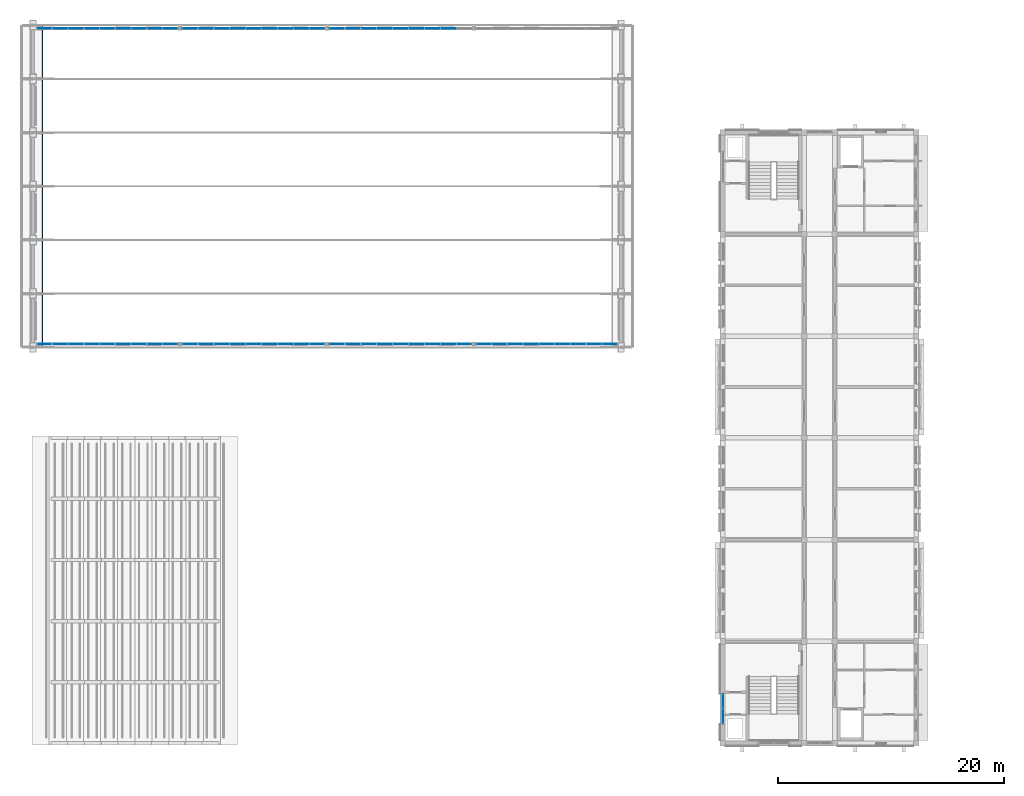
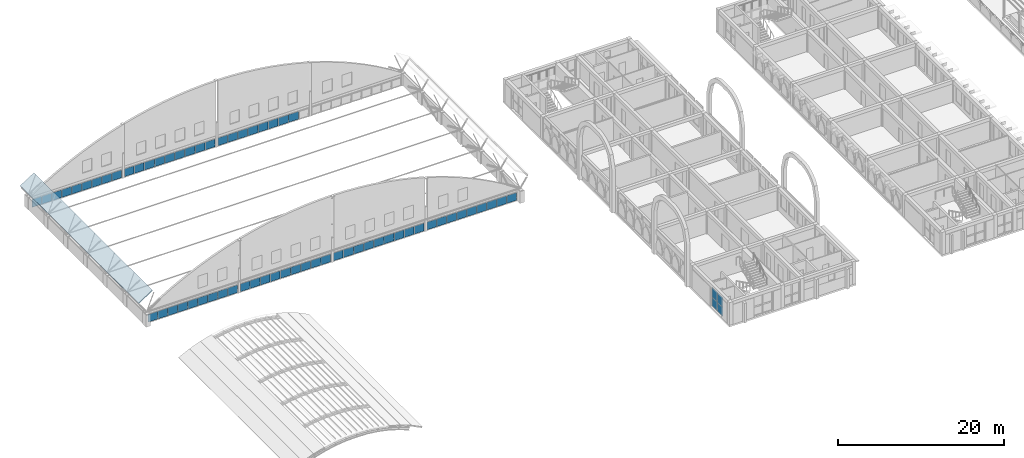
# One storey, part 30 of 65: 66 plates, 1 slab, 8 elements without a shape of their own.
"""IFC4 building model written with IfcOpenShell, lengths in metres."""

from ifc_helpers import new_model, si_unit, direction, frame, origin, origin_2d, place, context, subcontext, project, spatial, polyline, rectangle, outline, extrude, material, layer, layer_set, type_object, element, aggregate, save


model = new_model("IFC4")

# Units and contexts
model_context = context("Model", 3, precision=1e-05, world=origin(), true_north=direction((0.0, 1.0)))
body_context = subcontext(model_context, "Body", "Model", "MODEL_VIEW")
ifc_project = project(units=[si_unit("LENGTHUNIT", "METRE"), si_unit("AREAUNIT", "SQUARE_METRE"), si_unit("VOLUMEUNIT", "CUBIC_METRE"), si_unit("PLANEANGLEUNIT", "RADIAN"), si_unit("MASSUNIT", "GRAM", prefix="KILO")], contexts=[model_context])

# Site, building, storey
site_placement = place(None, origin())
site = spatial("IfcSite", under=ifc_project, at=site_placement, CompositionType="ELEMENT")
building_placement = place(site_placement, origin())
building = spatial("IfcBuilding", under=site, at=building_placement, Name="Elbe Cascade School", CompositionType="ELEMENT")
storey_placement = place(building_placement, frame((0.0, 0.0, 11.699951171875)))
storey = spatial("IfcBuildingStorey", under=building, at=storey_placement, Name="L03", CompositionType="ELEMENT", Elevation=11.699951171875)

# Curtain wall, plates
ifc_material_1 = material(Name="Aluminium frame with double glazing, bronze anodised", Category="aluminium")
ifc_layer_1 = layer(ifc_material_1, 0.159912109375)
ifc_layer_set_1 = layer_set([ifc_layer_1], Name="Aluminium frame with double glazing, bronze anodised")
curtain_wall_type_1 = type_object("IfcCurtainWallType", Name="Bars envelope Curtain wall, aluminium, bronze anodised, storey-high slot", PredefinedType="NOTDEFINED", material=ifc_layer_set_1)
curtain_wall_1_placement = place(storey_placement, origin())
curtain_wall_1 = element("IfcCurtainWall", 1, at=curtain_wall_1_placement, inside=storey, type_object=curtain_wall_type_1, Name="Curtain wall CW4 A.L03.w1", PredefinedType="NOTDEFINED")
ifc_material_2 = material(Name="Glass - double glazed low-E", Category="glass")
ifc_layer_2 = layer(ifc_material_2, 0.028076171875)
ifc_layer_set_2 = layer_set([ifc_layer_2], Name="Glass - double glazed low-E")
plate_type_1 = type_object("IfcPlateType", Name="Bars envelope Curtain wall glazing panel 28 mm, double glazed, storey-high slot", PredefinedType="CURTAIN_PANEL", material=ifc_layer_set_2)
plate_1_placement = place(storey_placement, frame((69.0, 8.3798828125, 0.06005859375), z_axis=(0.0, 0.0, 1.0), x_axis=(0.0, 1.0, 0.0)))
plate_1 = element("IfcPlate", 2, at=plate_1_placement, type_object=plate_type_1, Name="CW4 panel 1.1", PredefinedType="CURTAIN_PANEL", context=body_context, shape_type="SweptSolid", body=[
    extrude(rectangle(XDim=1.260009765625, YDim=0.028076171875, at=origin_2d()), origin(), (0.0, 0.0, 1.0), 1.260009765625),
])
plate_2_placement = place(storey_placement, frame((69.0, 8.3798828125, 1.3798828125), z_axis=(0.0, 0.0, 1.0), x_axis=(0.0, 1.0, 0.0)))
plate_2 = element("IfcPlate", 3, at=plate_2_placement, type_object=plate_type_1, Name="CW4 panel 1.2", PredefinedType="CURTAIN_PANEL", context=body_context, shape_type="SweptSolid", body=[
    extrude(rectangle(XDim=1.260009765625, YDim=0.028076171875, at=origin_2d()), origin(), (0.0, 0.0, 1.0), 1.409912109375),
])
plate_3_placement = place(storey_placement, frame((69.0, 9.699951171875, 0.06005859375), z_axis=(0.0, 0.0, 1.0), x_axis=(0.0, 1.0, 0.0)))
plate_3 = element("IfcPlate", 4, at=plate_3_placement, type_object=plate_type_1, Name="CW4 panel 2.1", PredefinedType="CURTAIN_PANEL", context=body_context, shape_type="SweptSolid", body=[
    extrude(rectangle(XDim=1.260009765625, YDim=0.028076171875, at=origin_2d()), origin(), (0.0, 0.0, 1.0), 1.260009765625),
])
plate_4_placement = place(storey_placement, frame((69.0, 9.699951171875, 1.3798828125), z_axis=(0.0, 0.0, 1.0), x_axis=(0.0, 1.0, 0.0)))
plate_4 = element("IfcPlate", 5, at=plate_4_placement, type_object=plate_type_1, Name="CW4 panel 2.2", PredefinedType="CURTAIN_PANEL", context=body_context, shape_type="SweptSolid", body=[
    extrude(rectangle(XDim=1.260009765625, YDim=0.028076171875, at=origin_2d()), origin(), (0.0, 0.0, 1.0), 1.409912109375),
])
aggregate(curtain_wall_1, [plate_1, plate_2, plate_3, plate_4])

ifc_material_3 = material(Name="Glass - double glazed low-E", Category="glass")
curtain_wall_type_2 = type_object("IfcCurtainWallType", Name="Hall gable curtain wall", PredefinedType="NOTDEFINED", material=ifc_material_3)
curtain_wall_2_placement = place(storey_placement, origin())
curtain_wall_2 = element("IfcCurtainWall", 6, at=curtain_wall_2_placement, inside=storey, type_object=curtain_wall_type_2, Name="Gable curtain wall S1", PredefinedType="NOTDEFINED")
ifc_material_4 = material(Name="Glass - double glazed low-E", Category="glass")
ifc_layer_3 = layer(ifc_material_4, 0.028076171875)
ifc_layer_set_3 = layer_set([ifc_layer_3], Name="Glass - double glazed low-E")
plate_type_2 = type_object("IfcPlateType", Name="Hall gable glass panel", PredefinedType="CURTAIN_PANEL", material=ifc_layer_set_3)
plate_5_placement = place(storey_placement, frame((9.01220703125, 41.300048828125, 0.06005859375), z_axis=(0.0, 0.0, 1.0), x_axis=(1.0, 0.0, 0.0)))
plate_5 = element("IfcPlate", 7, at=plate_5_placement, type_object=plate_type_2, Name="CW6 panel 1.1", PredefinedType="CURTAIN_PANEL", context=body_context, shape_type="SweptSolid", body=[
    extrude(rectangle(XDim=1.304443359375, YDim=0.028076171875, at=origin_2d()), origin(), (0.0, 0.0, 1.0), 1.139892578125),
])
plate_6_placement = place(storey_placement, frame((10.3916015625, 41.300048828125, 0.06005859375), z_axis=(0.0, 0.0, 1.0), x_axis=(1.0, 0.0, 0.0)))
plate_6 = element("IfcPlate", 8, at=plate_6_placement, type_object=plate_type_2, Name="CW6 panel 2.1", PredefinedType="CURTAIN_PANEL", context=body_context, shape_type="SweptSolid", body=[
    extrude(rectangle(XDim=1.33447265625, YDim=0.028076171875, at=origin_2d()), origin(), (0.0, 0.0, 1.0), 1.139892578125),
])
plate_7_placement = place(storey_placement, frame((11.7861328125, 41.300048828125, 0.06005859375), z_axis=(0.0, 0.0, 1.0), x_axis=(1.0, 0.0, 0.0)))
plate_7 = element("IfcPlate", 9, at=plate_7_placement, type_object=plate_type_2, Name="CW6 panel 3.1", PredefinedType="CURTAIN_PANEL", context=body_context, shape_type="SweptSolid", body=[
    extrude(rectangle(XDim=1.33447265625, YDim=0.028076171875, at=origin_2d()), origin(), (0.0, 0.0, 1.0), 1.139892578125),
])
plate_8_placement = place(storey_placement, frame((13.1806640625, 41.300048828125, 0.06005859375), z_axis=(0.0, 0.0, 1.0), x_axis=(1.0, 0.0, 0.0)))
plate_8 = element("IfcPlate", 10, at=plate_8_placement, type_object=plate_type_2, Name="CW6 panel 4.1", PredefinedType="CURTAIN_PANEL", context=body_context, shape_type="SweptSolid", body=[
    extrude(rectangle(XDim=1.33447265625, YDim=0.028076171875, at=origin_2d()), origin(), (0.0, 0.0, 1.0), 1.139892578125),
])
plate_9_placement = place(storey_placement, frame((14.574951171875, 41.300048828125, 0.06005859375), z_axis=(0.0, 0.0, 1.0), x_axis=(1.0, 0.0, 0.0)))
plate_9 = element("IfcPlate", 11, at=plate_9_placement, type_object=plate_type_2, Name="CW6 panel 5.1", PredefinedType="CURTAIN_PANEL", context=body_context, shape_type="SweptSolid", body=[
    extrude(rectangle(XDim=1.33447265625, YDim=0.028076171875, at=origin_2d()), origin(), (0.0, 0.0, 1.0), 1.139892578125),
])
plate_10_placement = place(storey_placement, frame((15.969482421875, 41.300048828125, 0.06005859375), z_axis=(0.0, 0.0, 1.0), x_axis=(1.0, 0.0, 0.0)))
plate_10 = element("IfcPlate", 12, at=plate_10_placement, type_object=plate_type_2, Name="CW6 panel 6.1", PredefinedType="CURTAIN_PANEL", context=body_context, shape_type="SweptSolid", body=[
    extrude(rectangle(XDim=1.33447265625, YDim=0.028076171875, at=origin_2d()), origin(), (0.0, 0.0, 1.0), 1.139892578125),
])
plate_11_placement = place(storey_placement, frame((17.36376953125, 41.300048828125, 0.06005859375), z_axis=(0.0, 0.0, 1.0), x_axis=(1.0, 0.0, 0.0)))
plate_11 = element("IfcPlate", 13, at=plate_11_placement, type_object=plate_type_2, Name="CW6 panel 7.1", PredefinedType="CURTAIN_PANEL", context=body_context, shape_type="SweptSolid", body=[
    extrude(rectangle(XDim=1.33447265625, YDim=0.028076171875, at=origin_2d()), origin(), (0.0, 0.0, 1.0), 1.139892578125),
])
plate_12_placement = place(storey_placement, frame((18.75830078125, 41.300048828125, 0.06005859375), z_axis=(0.0, 0.0, 1.0), x_axis=(1.0, 0.0, 0.0)))
plate_12 = element("IfcPlate", 14, at=plate_12_placement, type_object=plate_type_2, Name="CW6 panel 8.1", PredefinedType="CURTAIN_PANEL", context=body_context, shape_type="SweptSolid", body=[
    extrude(rectangle(XDim=1.33447265625, YDim=0.028076171875, at=origin_2d()), origin(), (0.0, 0.0, 1.0), 1.139892578125),
])
plate_13_placement = place(storey_placement, frame((20.1376953125, 41.300048828125, 0.06005859375), z_axis=(0.0, 0.0, 1.0), x_axis=(1.0, 0.0, 0.0)))
plate_13 = element("IfcPlate", 15, at=plate_13_placement, type_object=plate_type_2, Name="CW6 panel 9.1", PredefinedType="CURTAIN_PANEL", context=body_context, shape_type="SweptSolid", body=[
    extrude(rectangle(XDim=1.304443359375, YDim=0.028076171875, at=origin_2d()), origin(), (0.0, 0.0, 1.0), 1.139892578125),
])
aggregate(curtain_wall_2, [plate_5, plate_6, plate_7, plate_8, plate_9, plate_10, plate_11, plate_12, plate_13])

curtain_wall_3_placement = place(storey_placement, origin())
curtain_wall_3 = element("IfcCurtainWall", 16, at=curtain_wall_3_placement, inside=storey, type_object=curtain_wall_type_2, Name="Gable curtain wall S2", PredefinedType="NOTDEFINED")
plate_14_placement = place(storey_placement, frame((21.87060546875, 41.300048828125, 0.06005859375), z_axis=(0.0, 0.0, 1.0), x_axis=(1.0, 0.0, 0.0)))
plate_14 = element("IfcPlate", 17, at=plate_14_placement, type_object=plate_type_2, Name="CW6 panel 1.1", PredefinedType="CURTAIN_PANEL", context=body_context, shape_type="SweptSolid", body=[
    extrude(rectangle(XDim=1.321044921875, YDim=0.028076171875, at=origin_2d()), origin(), (0.0, 0.0, 1.0), 1.139892578125),
])
plate_15_placement = place(storey_placement, frame((23.2666015625, 41.300048828125, 0.06005859375), z_axis=(0.0, 0.0, 1.0), x_axis=(1.0, 0.0, 0.0)))
plate_15 = element("IfcPlate", 18, at=plate_15_placement, type_object=plate_type_2, Name="CW6 panel 2.1", PredefinedType="CURTAIN_PANEL", context=body_context, shape_type="SweptSolid", body=[
    extrude(rectangle(XDim=1.35107421875, YDim=0.028076171875, at=origin_2d()), origin(), (0.0, 0.0, 1.0), 1.139892578125),
])
plate_16_placement = place(storey_placement, frame((24.677734375, 41.300048828125, 0.06005859375), z_axis=(0.0, 0.0, 1.0), x_axis=(1.0, 0.0, 0.0)))
plate_16 = element("IfcPlate", 19, at=plate_16_placement, type_object=plate_type_2, Name="CW6 panel 3.1", PredefinedType="CURTAIN_PANEL", context=body_context, shape_type="SweptSolid", body=[
    extrude(rectangle(XDim=1.35107421875, YDim=0.028076171875, at=origin_2d()), origin(), (0.0, 0.0, 1.0), 1.139892578125),
])
plate_17_placement = place(storey_placement, frame((26.0888671875, 41.300048828125, 0.06005859375), z_axis=(0.0, 0.0, 1.0), x_axis=(1.0, 0.0, 0.0)))
plate_17 = element("IfcPlate", 20, at=plate_17_placement, type_object=plate_type_2, Name="CW6 panel 4.1", PredefinedType="CURTAIN_PANEL", context=body_context, shape_type="SweptSolid", body=[
    extrude(rectangle(XDim=1.35107421875, YDim=0.028076171875, at=origin_2d()), origin(), (0.0, 0.0, 1.0), 1.139892578125),
])
plate_18_placement = place(storey_placement, frame((27.5, 41.300048828125, 0.06005859375), z_axis=(0.0, 0.0, 1.0), x_axis=(1.0, 0.0, 0.0)))
plate_18 = element("IfcPlate", 21, at=plate_18_placement, type_object=plate_type_2, Name="CW6 panel 5.1", PredefinedType="CURTAIN_PANEL", context=body_context, shape_type="SweptSolid", body=[
    extrude(rectangle(XDim=1.35107421875, YDim=0.028076171875, at=origin_2d()), origin(), (0.0, 0.0, 1.0), 1.139892578125),
])
plate_19_placement = place(storey_placement, frame((28.9111328125, 41.300048828125, 0.06005859375), z_axis=(0.0, 0.0, 1.0), x_axis=(1.0, 0.0, 0.0)))
plate_19 = element("IfcPlate", 22, at=plate_19_placement, type_object=plate_type_2, Name="CW6 panel 6.1", PredefinedType="CURTAIN_PANEL", context=body_context, shape_type="SweptSolid", body=[
    extrude(rectangle(XDim=1.35107421875, YDim=0.028076171875, at=origin_2d()), origin(), (0.0, 0.0, 1.0), 1.139892578125),
])
plate_20_placement = place(storey_placement, frame((30.322265625, 41.300048828125, 0.06005859375), z_axis=(0.0, 0.0, 1.0), x_axis=(1.0, 0.0, 0.0)))
plate_20 = element("IfcPlate", 23, at=plate_20_placement, type_object=plate_type_2, Name="CW6 panel 7.1", PredefinedType="CURTAIN_PANEL", context=body_context, shape_type="SweptSolid", body=[
    extrude(rectangle(XDim=1.35107421875, YDim=0.028076171875, at=origin_2d()), origin(), (0.0, 0.0, 1.0), 1.139892578125),
])
plate_21_placement = place(storey_placement, frame((31.7333984375, 41.300048828125, 0.06005859375), z_axis=(0.0, 0.0, 1.0), x_axis=(1.0, 0.0, 0.0)))
plate_21 = element("IfcPlate", 24, at=plate_21_placement, type_object=plate_type_2, Name="CW6 panel 8.1", PredefinedType="CURTAIN_PANEL", context=body_context, shape_type="SweptSolid", body=[
    extrude(rectangle(XDim=1.35107421875, YDim=0.028076171875, at=origin_2d()), origin(), (0.0, 0.0, 1.0), 1.139892578125),
])
plate_22_placement = place(storey_placement, frame((33.12939453125, 41.300048828125, 0.06005859375), z_axis=(0.0, 0.0, 1.0), x_axis=(1.0, 0.0, 0.0)))
plate_22 = element("IfcPlate", 25, at=plate_22_placement, type_object=plate_type_2, Name="CW6 panel 9.1", PredefinedType="CURTAIN_PANEL", context=body_context, shape_type="SweptSolid", body=[
    extrude(rectangle(XDim=1.321044921875, YDim=0.028076171875, at=origin_2d()), origin(), (0.0, 0.0, 1.0), 1.139892578125),
])
aggregate(curtain_wall_3, [plate_14, plate_15, plate_16, plate_17, plate_18, plate_19, plate_20, plate_21, plate_22])

curtain_wall_4_placement = place(storey_placement, origin())
curtain_wall_4 = element("IfcCurtainWall", 26, at=curtain_wall_4_placement, inside=storey, type_object=curtain_wall_type_2, Name="Gable curtain wall S3", PredefinedType="NOTDEFINED")
plate_23_placement = place(storey_placement, frame((34.87060546875, 41.300048828125, 0.06005859375), z_axis=(0.0, 0.0, 1.0), x_axis=(1.0, 0.0, 0.0)))
plate_23 = element("IfcPlate", 27, at=plate_23_placement, type_object=plate_type_2, Name="CW6 panel 1.1", PredefinedType="CURTAIN_PANEL", context=body_context, shape_type="SweptSolid", body=[
    extrude(rectangle(XDim=1.321044921875, YDim=0.028076171875, at=origin_2d()), origin(), (0.0, 0.0, 1.0), 1.139892578125),
])
plate_24_placement = place(storey_placement, frame((36.2666015625, 41.300048828125, 0.06005859375), z_axis=(0.0, 0.0, 1.0), x_axis=(1.0, 0.0, 0.0)))
plate_24 = element("IfcPlate", 28, at=plate_24_placement, type_object=plate_type_2, Name="CW6 panel 2.1", PredefinedType="CURTAIN_PANEL", context=body_context, shape_type="SweptSolid", body=[
    extrude(rectangle(XDim=1.35107421875, YDim=0.028076171875, at=origin_2d()), origin(), (0.0, 0.0, 1.0), 1.139892578125),
])
plate_25_placement = place(storey_placement, frame((37.677734375, 41.300048828125, 0.06005859375), z_axis=(0.0, 0.0, 1.0), x_axis=(1.0, 0.0, 0.0)))
plate_25 = element("IfcPlate", 29, at=plate_25_placement, type_object=plate_type_2, Name="CW6 panel 3.1", PredefinedType="CURTAIN_PANEL", context=body_context, shape_type="SweptSolid", body=[
    extrude(rectangle(XDim=1.35107421875, YDim=0.028076171875, at=origin_2d()), origin(), (0.0, 0.0, 1.0), 1.139892578125),
])
plate_26_placement = place(storey_placement, frame((39.0888671875, 41.300048828125, 0.06005859375), z_axis=(0.0, 0.0, 1.0), x_axis=(1.0, 0.0, 0.0)))
plate_26 = element("IfcPlate", 30, at=plate_26_placement, type_object=plate_type_2, Name="CW6 panel 4.1", PredefinedType="CURTAIN_PANEL", context=body_context, shape_type="SweptSolid", body=[
    extrude(rectangle(XDim=1.35107421875, YDim=0.028076171875, at=origin_2d()), origin(), (0.0, 0.0, 1.0), 1.139892578125),
])
plate_27_placement = place(storey_placement, frame((40.5, 41.300048828125, 0.06005859375), z_axis=(0.0, 0.0, 1.0), x_axis=(1.0, 0.0, 0.0)))
plate_27 = element("IfcPlate", 31, at=plate_27_placement, type_object=plate_type_2, Name="CW6 panel 5.1", PredefinedType="CURTAIN_PANEL", context=body_context, shape_type="SweptSolid", body=[
    extrude(rectangle(XDim=1.35107421875, YDim=0.028076171875, at=origin_2d()), origin(), (0.0, 0.0, 1.0), 1.139892578125),
])
plate_28_placement = place(storey_placement, frame((41.9111328125, 41.300048828125, 0.06005859375), z_axis=(0.0, 0.0, 1.0), x_axis=(1.0, 0.0, 0.0)))
plate_28 = element("IfcPlate", 32, at=plate_28_placement, type_object=plate_type_2, Name="CW6 panel 6.1", PredefinedType="CURTAIN_PANEL", context=body_context, shape_type="SweptSolid", body=[
    extrude(rectangle(XDim=1.35107421875, YDim=0.028076171875, at=origin_2d()), origin(), (0.0, 0.0, 1.0), 1.139892578125),
])
plate_29_placement = place(storey_placement, frame((43.322265625, 41.300048828125, 0.06005859375), z_axis=(0.0, 0.0, 1.0), x_axis=(1.0, 0.0, 0.0)))
plate_29 = element("IfcPlate", 33, at=plate_29_placement, type_object=plate_type_2, Name="CW6 panel 7.1", PredefinedType="CURTAIN_PANEL", context=body_context, shape_type="SweptSolid", body=[
    extrude(rectangle(XDim=1.35107421875, YDim=0.028076171875, at=origin_2d()), origin(), (0.0, 0.0, 1.0), 1.139892578125),
])
plate_30_placement = place(storey_placement, frame((44.7333984375, 41.300048828125, 0.06005859375), z_axis=(0.0, 0.0, 1.0), x_axis=(1.0, 0.0, 0.0)))
plate_30 = element("IfcPlate", 34, at=plate_30_placement, type_object=plate_type_2, Name="CW6 panel 8.1", PredefinedType="CURTAIN_PANEL", context=body_context, shape_type="SweptSolid", body=[
    extrude(rectangle(XDim=1.35107421875, YDim=0.028076171875, at=origin_2d()), origin(), (0.0, 0.0, 1.0), 1.139892578125),
])
plate_31_placement = place(storey_placement, frame((46.12939453125, 41.300048828125, 0.06005859375), z_axis=(0.0, 0.0, 1.0), x_axis=(1.0, 0.0, 0.0)))
plate_31 = element("IfcPlate", 35, at=plate_31_placement, type_object=plate_type_2, Name="CW6 panel 9.1", PredefinedType="CURTAIN_PANEL", context=body_context, shape_type="SweptSolid", body=[
    extrude(rectangle(XDim=1.321044921875, YDim=0.028076171875, at=origin_2d()), origin(), (0.0, 0.0, 1.0), 1.139892578125),
])
aggregate(curtain_wall_4, [plate_23, plate_24, plate_25, plate_26, plate_27, plate_28, plate_29, plate_30, plate_31])

curtain_wall_5_placement = place(storey_placement, origin())
curtain_wall_5 = element("IfcCurtainWall", 36, at=curtain_wall_5_placement, inside=storey, type_object=curtain_wall_type_2, Name="Gable curtain wall S4", PredefinedType="NOTDEFINED")
plate_32_placement = place(storey_placement, frame((47.8623046875, 41.300048828125, 0.06005859375), z_axis=(0.0, 0.0, 1.0), x_axis=(1.0, 0.0, 0.0)))
plate_32 = element("IfcPlate", 37, at=plate_32_placement, type_object=plate_type_2, Name="CW6 panel 1.1", PredefinedType="CURTAIN_PANEL", context=body_context, shape_type="SweptSolid", body=[
    extrude(rectangle(XDim=1.304443359375, YDim=0.028076171875, at=origin_2d()), origin(), (0.0, 0.0, 1.0), 1.139892578125),
])
plate_33_placement = place(storey_placement, frame((49.24169921875, 41.300048828125, 0.06005859375), z_axis=(0.0, 0.0, 1.0), x_axis=(1.0, 0.0, 0.0)))
plate_33 = element("IfcPlate", 38, at=plate_33_placement, type_object=plate_type_2, Name="CW6 panel 2.1", PredefinedType="CURTAIN_PANEL", context=body_context, shape_type="SweptSolid", body=[
    extrude(rectangle(XDim=1.33447265625, YDim=0.028076171875, at=origin_2d()), origin(), (0.0, 0.0, 1.0), 1.139892578125),
])
plate_34_placement = place(storey_placement, frame((50.63623046875, 41.300048828125, 0.06005859375), z_axis=(0.0, 0.0, 1.0), x_axis=(1.0, 0.0, 0.0)))
plate_34 = element("IfcPlate", 39, at=plate_34_placement, type_object=plate_type_2, Name="CW6 panel 3.1", PredefinedType="CURTAIN_PANEL", context=body_context, shape_type="SweptSolid", body=[
    extrude(rectangle(XDim=1.33447265625, YDim=0.028076171875, at=origin_2d()), origin(), (0.0, 0.0, 1.0), 1.139892578125),
])
plate_35_placement = place(storey_placement, frame((52.030517578125, 41.300048828125, 0.06005859375), z_axis=(0.0, 0.0, 1.0), x_axis=(1.0, 0.0, 0.0)))
plate_35 = element("IfcPlate", 40, at=plate_35_placement, type_object=plate_type_2, Name="CW6 panel 4.1", PredefinedType="CURTAIN_PANEL", context=body_context, shape_type="SweptSolid", body=[
    extrude(rectangle(XDim=1.33447265625, YDim=0.028076171875, at=origin_2d()), origin(), (0.0, 0.0, 1.0), 1.139892578125),
])
plate_36_placement = place(storey_placement, frame((53.425048828125, 41.300048828125, 0.06005859375), z_axis=(0.0, 0.0, 1.0), x_axis=(1.0, 0.0, 0.0)))
plate_36 = element("IfcPlate", 41, at=plate_36_placement, type_object=plate_type_2, Name="CW6 panel 5.1", PredefinedType="CURTAIN_PANEL", context=body_context, shape_type="SweptSolid", body=[
    extrude(rectangle(XDim=1.33447265625, YDim=0.028076171875, at=origin_2d()), origin(), (0.0, 0.0, 1.0), 1.139892578125),
])
plate_37_placement = place(storey_placement, frame((54.8193359375, 41.300048828125, 0.06005859375), z_axis=(0.0, 0.0, 1.0), x_axis=(1.0, 0.0, 0.0)))
plate_37 = element("IfcPlate", 42, at=plate_37_placement, type_object=plate_type_2, Name="CW6 panel 6.1", PredefinedType="CURTAIN_PANEL", context=body_context, shape_type="SweptSolid", body=[
    extrude(rectangle(XDim=1.33447265625, YDim=0.028076171875, at=origin_2d()), origin(), (0.0, 0.0, 1.0), 1.139892578125),
])
plate_38_placement = place(storey_placement, frame((56.2138671875, 41.300048828125, 0.06005859375), z_axis=(0.0, 0.0, 1.0), x_axis=(1.0, 0.0, 0.0)))
plate_38 = element("IfcPlate", 43, at=plate_38_placement, type_object=plate_type_2, Name="CW6 panel 7.1", PredefinedType="CURTAIN_PANEL", context=body_context, shape_type="SweptSolid", body=[
    extrude(rectangle(XDim=1.33447265625, YDim=0.028076171875, at=origin_2d()), origin(), (0.0, 0.0, 1.0), 1.139892578125),
])
plate_39_placement = place(storey_placement, frame((57.6083984375, 41.300048828125, 0.06005859375), z_axis=(0.0, 0.0, 1.0), x_axis=(1.0, 0.0, 0.0)))
plate_39 = element("IfcPlate", 44, at=plate_39_placement, type_object=plate_type_2, Name="CW6 panel 8.1", PredefinedType="CURTAIN_PANEL", context=body_context, shape_type="SweptSolid", body=[
    extrude(rectangle(XDim=1.33447265625, YDim=0.028076171875, at=origin_2d()), origin(), (0.0, 0.0, 1.0), 1.139892578125),
])
plate_40_placement = place(storey_placement, frame((58.98779296875, 41.300048828125, 0.06005859375), z_axis=(0.0, 0.0, 1.0), x_axis=(1.0, 0.0, 0.0)))
plate_40 = element("IfcPlate", 45, at=plate_40_placement, type_object=plate_type_2, Name="CW6 panel 9.1", PredefinedType="CURTAIN_PANEL", context=body_context, shape_type="SweptSolid", body=[
    extrude(rectangle(XDim=1.304443359375, YDim=0.028076171875, at=origin_2d()), origin(), (0.0, 0.0, 1.0), 1.139892578125),
])
aggregate(curtain_wall_5, [plate_32, plate_33, plate_34, plate_35, plate_36, plate_37, plate_38, plate_39, plate_40])

curtain_wall_6_placement = place(storey_placement, origin())
curtain_wall_6 = element("IfcCurtainWall", 46, at=curtain_wall_6_placement, inside=storey, type_object=curtain_wall_type_2, Name="Gable curtain wall N1", PredefinedType="NOTDEFINED")
plate_41_placement = place(storey_placement, frame((9.01220703125, 69.199951171875, 0.06005859375), z_axis=(0.0, 0.0, 1.0), x_axis=(1.0, 0.0, 0.0)))
plate_41 = element("IfcPlate", 47, at=plate_41_placement, type_object=plate_type_2, Name="CW6 panel 1.1", PredefinedType="CURTAIN_PANEL", context=body_context, shape_type="SweptSolid", body=[
    extrude(rectangle(XDim=1.304443359375, YDim=0.028076171875, at=origin_2d()), origin(), (0.0, 0.0, 1.0), 1.139892578125),
])
plate_42_placement = place(storey_placement, frame((10.3916015625, 69.199951171875, 0.06005859375), z_axis=(0.0, 0.0, 1.0), x_axis=(1.0, 0.0, 0.0)))
plate_42 = element("IfcPlate", 48, at=plate_42_placement, type_object=plate_type_2, Name="CW6 panel 2.1", PredefinedType="CURTAIN_PANEL", context=body_context, shape_type="SweptSolid", body=[
    extrude(rectangle(XDim=1.33447265625, YDim=0.028076171875, at=origin_2d()), origin(), (0.0, 0.0, 1.0), 1.139892578125),
])
plate_43_placement = place(storey_placement, frame((11.7861328125, 69.199951171875, 0.06005859375), z_axis=(0.0, 0.0, 1.0), x_axis=(1.0, 0.0, 0.0)))
plate_43 = element("IfcPlate", 49, at=plate_43_placement, type_object=plate_type_2, Name="CW6 panel 3.1", PredefinedType="CURTAIN_PANEL", context=body_context, shape_type="SweptSolid", body=[
    extrude(rectangle(XDim=1.33447265625, YDim=0.028076171875, at=origin_2d()), origin(), (0.0, 0.0, 1.0), 1.139892578125),
])
plate_44_placement = place(storey_placement, frame((13.1806640625, 69.199951171875, 0.06005859375), z_axis=(0.0, 0.0, 1.0), x_axis=(1.0, 0.0, 0.0)))
plate_44 = element("IfcPlate", 50, at=plate_44_placement, type_object=plate_type_2, Name="CW6 panel 4.1", PredefinedType="CURTAIN_PANEL", context=body_context, shape_type="SweptSolid", body=[
    extrude(rectangle(XDim=1.33447265625, YDim=0.028076171875, at=origin_2d()), origin(), (0.0, 0.0, 1.0), 1.139892578125),
])
plate_45_placement = place(storey_placement, frame((14.574951171875, 69.199951171875, 0.06005859375), z_axis=(0.0, 0.0, 1.0), x_axis=(1.0, 0.0, 0.0)))
plate_45 = element("IfcPlate", 51, at=plate_45_placement, type_object=plate_type_2, Name="CW6 panel 5.1", PredefinedType="CURTAIN_PANEL", context=body_context, shape_type="SweptSolid", body=[
    extrude(rectangle(XDim=1.33447265625, YDim=0.028076171875, at=origin_2d()), origin(), (0.0, 0.0, 1.0), 1.139892578125),
])
plate_46_placement = place(storey_placement, frame((15.969482421875, 69.199951171875, 0.06005859375), z_axis=(0.0, 0.0, 1.0), x_axis=(1.0, 0.0, 0.0)))
plate_46 = element("IfcPlate", 52, at=plate_46_placement, type_object=plate_type_2, Name="CW6 panel 6.1", PredefinedType="CURTAIN_PANEL", context=body_context, shape_type="SweptSolid", body=[
    extrude(rectangle(XDim=1.33447265625, YDim=0.028076171875, at=origin_2d()), origin(), (0.0, 0.0, 1.0), 1.139892578125),
])
plate_47_placement = place(storey_placement, frame((17.36376953125, 69.199951171875, 0.06005859375), z_axis=(0.0, 0.0, 1.0), x_axis=(1.0, 0.0, 0.0)))
plate_47 = element("IfcPlate", 53, at=plate_47_placement, type_object=plate_type_2, Name="CW6 panel 7.1", PredefinedType="CURTAIN_PANEL", context=body_context, shape_type="SweptSolid", body=[
    extrude(rectangle(XDim=1.33447265625, YDim=0.028076171875, at=origin_2d()), origin(), (0.0, 0.0, 1.0), 1.139892578125),
])
plate_48_placement = place(storey_placement, frame((18.75830078125, 69.199951171875, 0.06005859375), z_axis=(0.0, 0.0, 1.0), x_axis=(1.0, 0.0, 0.0)))
plate_48 = element("IfcPlate", 54, at=plate_48_placement, type_object=plate_type_2, Name="CW6 panel 8.1", PredefinedType="CURTAIN_PANEL", context=body_context, shape_type="SweptSolid", body=[
    extrude(rectangle(XDim=1.33447265625, YDim=0.028076171875, at=origin_2d()), origin(), (0.0, 0.0, 1.0), 1.139892578125),
])
plate_49_placement = place(storey_placement, frame((20.1376953125, 69.199951171875, 0.06005859375), z_axis=(0.0, 0.0, 1.0), x_axis=(1.0, 0.0, 0.0)))
plate_49 = element("IfcPlate", 55, at=plate_49_placement, type_object=plate_type_2, Name="CW6 panel 9.1", PredefinedType="CURTAIN_PANEL", context=body_context, shape_type="SweptSolid", body=[
    extrude(rectangle(XDim=1.304443359375, YDim=0.028076171875, at=origin_2d()), origin(), (0.0, 0.0, 1.0), 1.139892578125),
])
aggregate(curtain_wall_6, [plate_41, plate_42, plate_43, plate_44, plate_45, plate_46, plate_47, plate_48, plate_49])

curtain_wall_7_placement = place(storey_placement, origin())
curtain_wall_7 = element("IfcCurtainWall", 56, at=curtain_wall_7_placement, inside=storey, type_object=curtain_wall_type_2, Name="Gable curtain wall N2", PredefinedType="NOTDEFINED")
plate_50_placement = place(storey_placement, frame((21.87060546875, 69.199951171875, 0.06005859375), z_axis=(0.0, 0.0, 1.0), x_axis=(1.0, 0.0, 0.0)))
plate_50 = element("IfcPlate", 57, at=plate_50_placement, type_object=plate_type_2, Name="CW6 panel 1.1", PredefinedType="CURTAIN_PANEL", context=body_context, shape_type="SweptSolid", body=[
    extrude(rectangle(XDim=1.321044921875, YDim=0.028076171875, at=origin_2d()), origin(), (0.0, 0.0, 1.0), 1.139892578125),
])
plate_51_placement = place(storey_placement, frame((23.2666015625, 69.199951171875, 0.06005859375), z_axis=(0.0, 0.0, 1.0), x_axis=(1.0, 0.0, 0.0)))
plate_51 = element("IfcPlate", 58, at=plate_51_placement, type_object=plate_type_2, Name="CW6 panel 2.1", PredefinedType="CURTAIN_PANEL", context=body_context, shape_type="SweptSolid", body=[
    extrude(rectangle(XDim=1.35107421875, YDim=0.028076171875, at=origin_2d()), origin(), (0.0, 0.0, 1.0), 1.139892578125),
])
plate_52_placement = place(storey_placement, frame((24.677734375, 69.199951171875, 0.06005859375), z_axis=(0.0, 0.0, 1.0), x_axis=(1.0, 0.0, 0.0)))
plate_52 = element("IfcPlate", 59, at=plate_52_placement, type_object=plate_type_2, Name="CW6 panel 3.1", PredefinedType="CURTAIN_PANEL", context=body_context, shape_type="SweptSolid", body=[
    extrude(rectangle(XDim=1.35107421875, YDim=0.028076171875, at=origin_2d()), origin(), (0.0, 0.0, 1.0), 1.139892578125),
])
plate_53_placement = place(storey_placement, frame((26.0888671875, 69.199951171875, 0.06005859375), z_axis=(0.0, 0.0, 1.0), x_axis=(1.0, 0.0, 0.0)))
plate_53 = element("IfcPlate", 60, at=plate_53_placement, type_object=plate_type_2, Name="CW6 panel 4.1", PredefinedType="CURTAIN_PANEL", context=body_context, shape_type="SweptSolid", body=[
    extrude(rectangle(XDim=1.35107421875, YDim=0.028076171875, at=origin_2d()), origin(), (0.0, 0.0, 1.0), 1.139892578125),
])
plate_54_placement = place(storey_placement, frame((27.5, 69.199951171875, 0.06005859375), z_axis=(0.0, 0.0, 1.0), x_axis=(1.0, 0.0, 0.0)))
plate_54 = element("IfcPlate", 61, at=plate_54_placement, type_object=plate_type_2, Name="CW6 panel 5.1", PredefinedType="CURTAIN_PANEL", context=body_context, shape_type="SweptSolid", body=[
    extrude(rectangle(XDim=1.35107421875, YDim=0.028076171875, at=origin_2d()), origin(), (0.0, 0.0, 1.0), 1.139892578125),
])
plate_55_placement = place(storey_placement, frame((28.9111328125, 69.199951171875, 0.06005859375), z_axis=(0.0, 0.0, 1.0), x_axis=(1.0, 0.0, 0.0)))
plate_55 = element("IfcPlate", 62, at=plate_55_placement, type_object=plate_type_2, Name="CW6 panel 6.1", PredefinedType="CURTAIN_PANEL", context=body_context, shape_type="SweptSolid", body=[
    extrude(rectangle(XDim=1.35107421875, YDim=0.028076171875, at=origin_2d()), origin(), (0.0, 0.0, 1.0), 1.139892578125),
])
plate_56_placement = place(storey_placement, frame((30.322265625, 69.199951171875, 0.06005859375), z_axis=(0.0, 0.0, 1.0), x_axis=(1.0, 0.0, 0.0)))
plate_56 = element("IfcPlate", 63, at=plate_56_placement, type_object=plate_type_2, Name="CW6 panel 7.1", PredefinedType="CURTAIN_PANEL", context=body_context, shape_type="SweptSolid", body=[
    extrude(rectangle(XDim=1.35107421875, YDim=0.028076171875, at=origin_2d()), origin(), (0.0, 0.0, 1.0), 1.139892578125),
])
plate_57_placement = place(storey_placement, frame((31.7333984375, 69.199951171875, 0.06005859375), z_axis=(0.0, 0.0, 1.0), x_axis=(1.0, 0.0, 0.0)))
plate_57 = element("IfcPlate", 64, at=plate_57_placement, type_object=plate_type_2, Name="CW6 panel 8.1", PredefinedType="CURTAIN_PANEL", context=body_context, shape_type="SweptSolid", body=[
    extrude(rectangle(XDim=1.35107421875, YDim=0.028076171875, at=origin_2d()), origin(), (0.0, 0.0, 1.0), 1.139892578125),
])
plate_58_placement = place(storey_placement, frame((33.12939453125, 69.199951171875, 0.06005859375), z_axis=(0.0, 0.0, 1.0), x_axis=(1.0, 0.0, 0.0)))
plate_58 = element("IfcPlate", 65, at=plate_58_placement, type_object=plate_type_2, Name="CW6 panel 9.1", PredefinedType="CURTAIN_PANEL", context=body_context, shape_type="SweptSolid", body=[
    extrude(rectangle(XDim=1.321044921875, YDim=0.028076171875, at=origin_2d()), origin(), (0.0, 0.0, 1.0), 1.139892578125),
])
aggregate(curtain_wall_7, [plate_50, plate_51, plate_52, plate_53, plate_54, plate_55, plate_56, plate_57, plate_58])

curtain_wall_8_placement = place(storey_placement, origin())
curtain_wall_8 = element("IfcCurtainWall", 66, at=curtain_wall_8_placement, inside=storey, type_object=curtain_wall_type_2, Name="Gable curtain wall N3", PredefinedType="NOTDEFINED")
plate_59_placement = place(storey_placement, frame((34.87060546875, 69.199951171875, 0.06005859375), z_axis=(0.0, 0.0, 1.0), x_axis=(1.0, 0.0, 0.0)))
plate_59 = element("IfcPlate", 67, at=plate_59_placement, type_object=plate_type_2, Name="CW6 panel 1.1", PredefinedType="CURTAIN_PANEL", context=body_context, shape_type="SweptSolid", body=[
    extrude(rectangle(XDim=1.321044921875, YDim=0.028076171875, at=origin_2d()), origin(), (0.0, 0.0, 1.0), 1.139892578125),
])
plate_60_placement = place(storey_placement, frame((36.2666015625, 69.199951171875, 0.06005859375), z_axis=(0.0, 0.0, 1.0), x_axis=(1.0, 0.0, 0.0)))
plate_60 = element("IfcPlate", 68, at=plate_60_placement, type_object=plate_type_2, Name="CW6 panel 2.1", PredefinedType="CURTAIN_PANEL", context=body_context, shape_type="SweptSolid", body=[
    extrude(rectangle(XDim=1.35107421875, YDim=0.028076171875, at=origin_2d()), origin(), (0.0, 0.0, 1.0), 1.139892578125),
])
plate_61_placement = place(storey_placement, frame((37.677734375, 69.199951171875, 0.06005859375), z_axis=(0.0, 0.0, 1.0), x_axis=(1.0, 0.0, 0.0)))
plate_61 = element("IfcPlate", 69, at=plate_61_placement, type_object=plate_type_2, Name="CW6 panel 3.1", PredefinedType="CURTAIN_PANEL", context=body_context, shape_type="SweptSolid", body=[
    extrude(rectangle(XDim=1.35107421875, YDim=0.028076171875, at=origin_2d()), origin(), (0.0, 0.0, 1.0), 1.139892578125),
])
plate_62_placement = place(storey_placement, frame((39.0888671875, 69.199951171875, 0.06005859375), z_axis=(0.0, 0.0, 1.0), x_axis=(1.0, 0.0, 0.0)))
plate_62 = element("IfcPlate", 70, at=plate_62_placement, type_object=plate_type_2, Name="CW6 panel 4.1", PredefinedType="CURTAIN_PANEL", context=body_context, shape_type="SweptSolid", body=[
    extrude(rectangle(XDim=1.35107421875, YDim=0.028076171875, at=origin_2d()), origin(), (0.0, 0.0, 1.0), 1.139892578125),
])
plate_63_placement = place(storey_placement, frame((40.5, 69.199951171875, 0.06005859375), z_axis=(0.0, 0.0, 1.0), x_axis=(1.0, 0.0, 0.0)))
plate_63 = element("IfcPlate", 71, at=plate_63_placement, type_object=plate_type_2, Name="CW6 panel 5.1", PredefinedType="CURTAIN_PANEL", context=body_context, shape_type="SweptSolid", body=[
    extrude(rectangle(XDim=1.35107421875, YDim=0.028076171875, at=origin_2d()), origin(), (0.0, 0.0, 1.0), 1.139892578125),
])
plate_64_placement = place(storey_placement, frame((41.9111328125, 69.199951171875, 0.06005859375), z_axis=(0.0, 0.0, 1.0), x_axis=(1.0, 0.0, 0.0)))
plate_64 = element("IfcPlate", 72, at=plate_64_placement, type_object=plate_type_2, Name="CW6 panel 6.1", PredefinedType="CURTAIN_PANEL", context=body_context, shape_type="SweptSolid", body=[
    extrude(rectangle(XDim=1.35107421875, YDim=0.028076171875, at=origin_2d()), origin(), (0.0, 0.0, 1.0), 1.139892578125),
])
plate_65_placement = place(storey_placement, frame((43.322265625, 69.199951171875, 0.06005859375), z_axis=(0.0, 0.0, 1.0), x_axis=(1.0, 0.0, 0.0)))
plate_65 = element("IfcPlate", 73, at=plate_65_placement, type_object=plate_type_2, Name="CW6 panel 7.1", PredefinedType="CURTAIN_PANEL", context=body_context, shape_type="SweptSolid", body=[
    extrude(rectangle(XDim=1.35107421875, YDim=0.028076171875, at=origin_2d()), origin(), (0.0, 0.0, 1.0), 1.139892578125),
])
plate_66_placement = place(storey_placement, frame((44.7333984375, 69.199951171875, 0.06005859375), z_axis=(0.0, 0.0, 1.0), x_axis=(1.0, 0.0, 0.0)))
plate_66 = element("IfcPlate", 74, at=plate_66_placement, type_object=plate_type_2, Name="CW6 panel 8.1", PredefinedType="CURTAIN_PANEL", context=body_context, shape_type="SweptSolid", body=[
    extrude(rectangle(XDim=1.35107421875, YDim=0.028076171875, at=origin_2d()), origin(), (0.0, 0.0, 1.0), 1.139892578125),
])
aggregate(curtain_wall_8, [plate_59, plate_60, plate_61, plate_62, plate_63, plate_64, plate_65, plate_66])

# Slab
ifc_material_5 = material(Name="Steel S350GD+Z insulated deck", Category="steel")
ifc_layer_4 = layer(ifc_material_5, 0.1201171875)
ifc_layer_set_4 = layer_set([ifc_layer_4], Name="Steel S350GD+Z insulated deck")
slab_type = type_object("IfcSlabType", Name="Hall roof deck insulated steel sheet 120", PredefinedType="ROOF", material=ifc_layer_set_4)
slab_placement = place(storey_placement, frame((6.86328125, 41.0, 3.569580078125), z_axis=(-0.54230083266, 0.0, 0.840184388629), x_axis=(0.840184388629, 0.0, 0.54230083266)))
element("IfcSlab", 75, at=slab_placement, inside=storey, type_object=slab_type, Name="Roof deck 1", PredefinedType="ROOF", context=body_context, shape_type="SweptSolid", body=[
    extrude(outline(polyline([(0.0, 0.0), (2.3013921422122587, 0.0), (2.3013921422122587, 28.500000000000007), (0.0, 28.500000000000007), (0.0, 0.0)])), origin(), (0.0, 0.0, -1.0), 0.1201171875),
])

save(model, "model.ifc")
